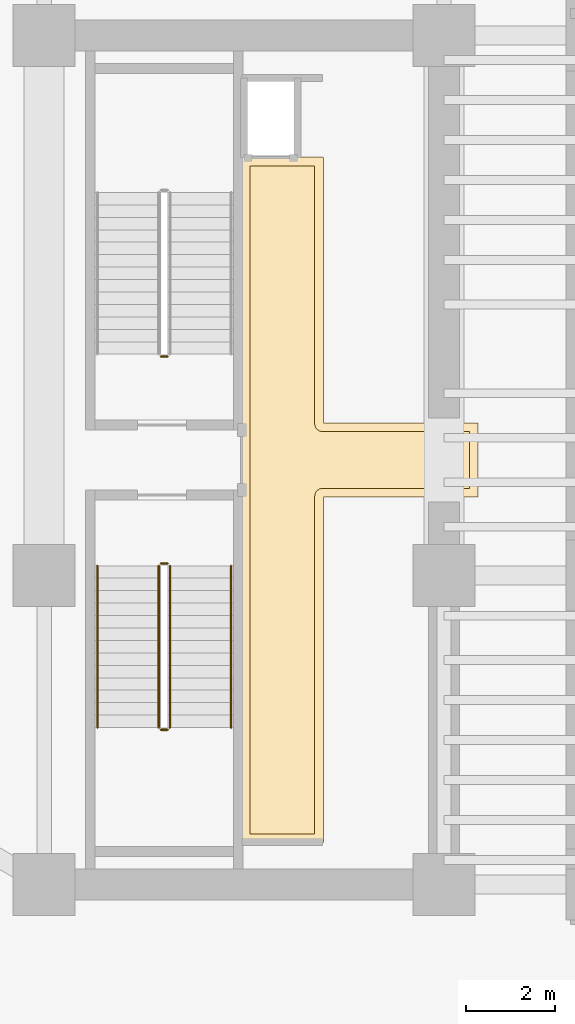
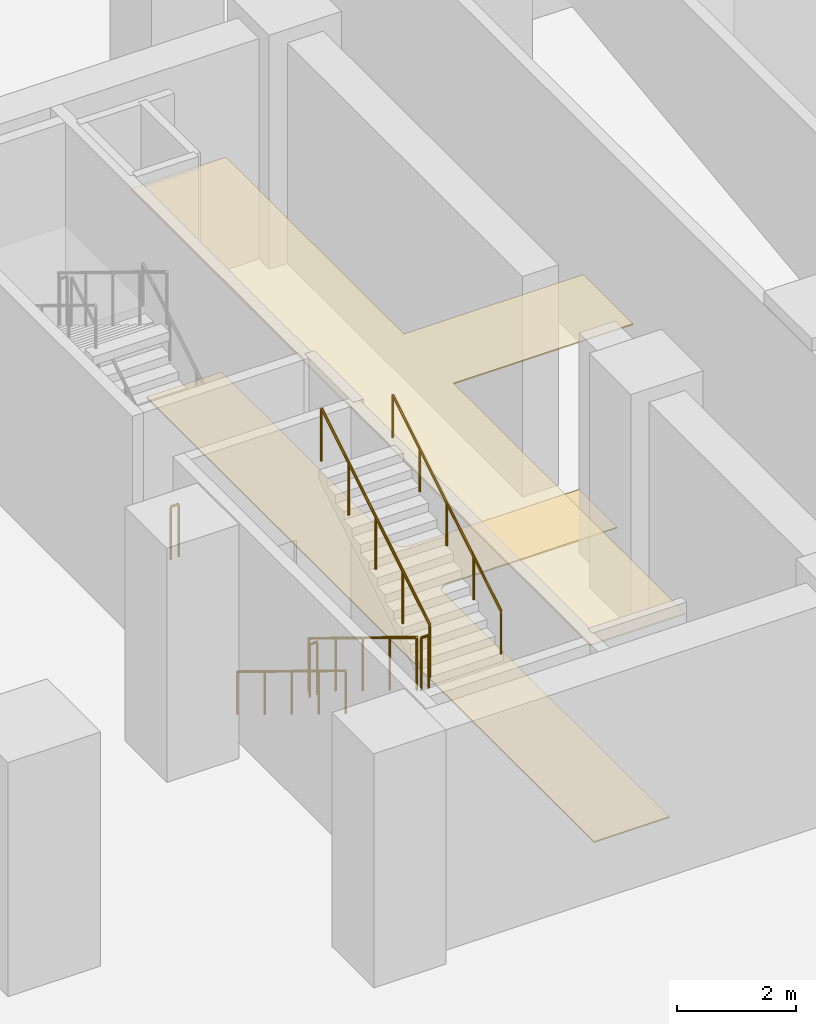
# One storey, part 8 of 10: 7 railings, 2 coverings.
"""IFC4 building model written with IfcOpenShell, lengths in metres."""

import ifcopenshell
import ifcopenshell.guid

model = None  # the IFC model being written
_history = None  # IfcOwnerHistory: only IFC2X3 demands one
_inside = {}  # id of a spatial element -> (the spatial element, [elements in it])
_under = {}  # id of a project, library or spatial element -> (it, [spatial elements below it])
_declared = {}  # id of a project -> (the project, [libraries it declares])
_typed = {}  # id of a type object -> (the type object, [elements of that type])
_made_of = {}  # id of a material, layer set ... -> (it, [elements and type objects made of it])


def new_model(schema):
    """Start an empty IFC model of exactly this schema.

    Asked for "IFC4X3", IfcOpenShell would pick the latest addendum, in which some entities
    have other attributes; the version numbers below select the first issue.
    IFC2X3 requires an IfcOwnerHistory on every rooted entity: one is made here for all.
    """
    global model, _history
    if schema == "IFC4X3":
        model = ifcopenshell.file(schema_version=(4, 3, 0, 0))
    else:
        model = ifcopenshell.file(schema=schema)
    _inside.clear()
    _under.clear()
    _declared.clear()
    _typed.clear()
    _made_of.clear()
    _history = None
    if model.schema == "IFC2X3":
        org = make("IfcOrganization", Name="unknown")
        user = make(
            "IfcPersonAndOrganization",
            ThePerson=make("IfcPerson", FamilyName="unknown"),
            TheOrganization=org,
        )
        app = make(
            "IfcApplication",
            ApplicationDeveloper=org,
            Version="unknown",
            ApplicationFullName="unknown",
            ApplicationIdentifier="unknown",
        )
        _history = make(
            "IfcOwnerHistory",
            OwningUser=user,
            OwningApplication=app,
            ChangeAction="ADDED",
            CreationDate=0,
        )
    return model


def make(cls, **values):
    """One entity of the class cls with the attributes given. An attribute that is None is left unset."""
    return model.create_entity(
        cls, **{name: value for name, value in values.items() if value is not None}
    )


def rooted(cls, **values):
    """An entity with a GlobalId (a new one), such as an element, a storey or a relation."""
    return make(cls, GlobalId=ifcopenshell.guid.new(), OwnerHistory=_history, **values)


def si_unit(unit_type, name, prefix=None):
    """IfcSIUnit, for example si_unit("LENGTHUNIT", "METRE", prefix="MILLI")."""
    return make("IfcSIUnit", UnitType=unit_type, Prefix=prefix, Name=name)


def assignment(units):
    """IfcUnitAssignment: the units of a project."""
    return None if units is None else make("IfcUnitAssignment", Units=units)


def point(xyz):
    """IfcCartesianPoint."""
    return None if xyz is None else make("IfcCartesianPoint", Coordinates=xyz)


def direction(xyz):
    """IfcDirection."""
    return None if xyz is None else make("IfcDirection", DirectionRatios=xyz)


def frame(location, z_axis=None, x_axis=None):
    """IfcAxis2Placement3D, a coordinate frame: its origin and axes. An axis left out is left unset."""
    return make(
        "IfcAxis2Placement3D",
        Location=point(location),
        Axis=direction(z_axis),
        RefDirection=direction(x_axis),
    )


def frame_2d(location, x_axis=None):
    """IfcAxis2Placement2D, a coordinate frame in the plane: its origin and x axis."""
    return make(
        "IfcAxis2Placement2D", Location=point(location), RefDirection=direction(x_axis)
    )


def origin():
    """The frame at (0, 0, 0) with its axes left unset."""
    return frame((0.0, 0.0, 0.0))


def origin_2d():
    """The frame at (0, 0) in the plane with its x axis left unset."""
    return frame_2d((0.0, 0.0))


def place(relative_to, where):
    """IfcLocalPlacement: puts the frame where relative to a parent placement (None: the world)."""
    return make(
        "IfcLocalPlacement", PlacementRelTo=relative_to, RelativePlacement=where
    )


def context(
    kind, dimensions, precision=None, world=None, true_north=None, identifier=None
):
    """IfcGeometricRepresentationContext, for example the 3D "Model" context."""
    return make(
        "IfcGeometricRepresentationContext",
        ContextIdentifier=identifier,
        ContextType=kind,
        CoordinateSpaceDimension=dimensions,
        Precision=precision,
        WorldCoordinateSystem=world,
        TrueNorth=true_north,
    )


def subcontext(parent, identifier, kind, view, scale=None):
    """IfcGeometricRepresentationSubContext, for example "Body" below "Model"."""
    return make(
        "IfcGeometricRepresentationSubContext",
        ContextIdentifier=identifier,
        ContextType=kind,
        ParentContext=parent,
        TargetScale=scale,
        TargetView=view,
    )


def project(units=None, contexts=None):
    """IfcProject with its units and contexts."""
    return rooted(
        "IfcProject",
        Name="project",
        RepresentationContexts=contexts,
        UnitsInContext=assignment(units),
    )


def spatial(cls, under=None, at=None, **own):
    """A site, building, storey or space (cls), placed at a placement, below another one or the project."""
    s = rooted(cls, ObjectPlacement=at, **own)
    if under is not None:
        _under.setdefault(under.id(), (under, []))[1].append(s)
    return s


def polyline(points):
    """IfcPolyline through the points."""
    return make("IfcPolyline", Points=[point(p) for p in points])


def profile(cls, at=None, kind="AREA", **sizes):
    """A parametric profile (cls). Its sizes go by their IFC names, for example OverallWidth=200.0."""
    return make(cls, ProfileType=kind, Position=at, **sizes)


def circle(**sizes):
    """IfcCircleProfileDef."""
    return profile("IfcCircleProfileDef", **sizes)


def outline(outer, holes=None, kind="AREA"):
    """IfcArbitraryClosedProfileDef: a profile drawn as a closed curve; with holes, ...WithVoids."""
    if holes is None:
        return make("IfcArbitraryClosedProfileDef", ProfileType=kind, OuterCurve=outer)
    return make(
        "IfcArbitraryProfileDefWithVoids",
        ProfileType=kind,
        OuterCurve=outer,
        InnerCurves=holes,
    )


def extrude(swept, where, along, depth):
    """IfcExtrudedAreaSolid: the profile swept, set in the frame where, extruded along a direction by depth."""
    return make(
        "IfcExtrudedAreaSolid",
        SweptArea=swept,
        Position=where,
        ExtrudedDirection=direction(along),
        Depth=depth,
    )


def shape(context_of_items, identifier, shape_type, items):
    """IfcShapeRepresentation: the items that make up one representation, for example the "Body"."""
    return make(
        "IfcShapeRepresentation",
        ContextOfItems=context_of_items,
        RepresentationIdentifier=identifier,
        RepresentationType=shape_type,
        Items=items,
    )


def material(Name=None, Category=None):
    """IfcMaterial."""
    return make("IfcMaterial", Name=Name, Category=Category)


def layer(
    of_material, thickness, ventilated=None, Name=None, Category=None, Priority=None
):
    """IfcMaterialLayer: one layer of a wall or slab, of a material (None: an air gap)."""
    return make(
        "IfcMaterialLayer",
        Material=of_material,
        LayerThickness=thickness,
        IsVentilated=ventilated,
        Name=Name,
        Category=Category,
        Priority=Priority,
    )


def layer_set(layers, Name=None):
    """IfcMaterialLayerSet."""
    return make("IfcMaterialLayerSet", MaterialLayers=layers, LayerSetName=Name)


def made_of(thing, what):
    """Note that an element or type object is made of a material, layer set ...; save() writes the relation."""
    if what is not None:
        _made_of.setdefault(what.id(), (what, []))[1].append(thing)
    return thing


def type_object(cls, material=None, **own):
    """A type object (cls), such as IfcWallType, which elements share."""
    return made_of(rooted(cls, **own), material)


def element(
    cls,
    number,
    at=None,
    inside=None,
    cuts=None,
    type_object=None,
    material=None,
    context=None,
    identifier="Body",
    shape_type=None,
    held_by="IfcProductDefinitionShape",
    body=None,
    shapes=None,
    **own,
):
    """One element of the class cls, such as IfcWall. Its Tag is "e" and its number.

    at: its placement. inside: the storey or other place that contains it. cuts: it is an
    opening in that element (IfcRelVoidsElement). A single representation is given by context,
    identifier, shape_type and body (its items); several are given by shapes. held_by: the class
    of the entity that holds the representations. save() writes the other relations.
    """
    e = rooted(cls, Tag="e%d" % number, ObjectPlacement=at, **own)
    if body is not None:
        shapes = [shape(context, identifier, shape_type, body)]
    if shapes is not None:
        e.Representation = make(held_by, Representations=shapes)
    if inside is not None:
        _inside.setdefault(inside.id(), (inside, []))[1].append(e)
    if cuts is not None:
        rooted(
            "IfcRelVoidsElement", RelatingBuildingElement=cuts, RelatedOpeningElement=e
        )
    if type_object is not None:
        _typed.setdefault(type_object.id(), (type_object, []))[1].append(e)
    return made_of(e, material)


def aggregate(whole, parts):
    """IfcRelAggregates: a whole, such as a stair, and the parts it consists of."""
    return rooted("IfcRelAggregates", RelatingObject=whole, RelatedObjects=parts)


def save(model, path):
    """Write the relations noted so far, then the file.

    IfcRelAggregates (storeys below a building ...), IfcRelContainedInSpatialStructure (elements
    in a storey), IfcRelDefinesByType, IfcRelAssociatesMaterial and IfcRelDeclares: one each for
    every whole, place, type object, material and project.
    """
    for whole, parts in _under.values():
        aggregate(whole, parts)
    for where, things in _inside.values():
        rooted(
            "IfcRelContainedInSpatialStructure",
            RelatedElements=things,
            RelatingStructure=where,
        )
    for kind, things in _typed.values():
        rooted("IfcRelDefinesByType", RelatedObjects=things, RelatingType=kind)
    for what, things in _made_of.values():
        rooted("IfcRelAssociatesMaterial", RelatedObjects=things, RelatingMaterial=what)
    for by, libraries in _declared.values():
        rooted("IfcRelDeclares", RelatingContext=by, RelatedDefinitions=libraries)
    model.write(path)


model = new_model("IFC4")

# Units and contexts
model_context = context("Model", 3, precision=1e-05, world=origin(), true_north=direction((0.0, 1.0)))
body_context = subcontext(model_context, "Body", "Model", "MODEL_VIEW")
ifc_project = project(units=[si_unit("LENGTHUNIT", "METRE"), si_unit("AREAUNIT", "SQUARE_METRE"), si_unit("VOLUMEUNIT", "CUBIC_METRE"), si_unit("PLANEANGLEUNIT", "RADIAN"), si_unit("MASSUNIT", "GRAM", prefix="KILO")], contexts=[model_context])

# Site, building, storey
site_placement = place(None, origin())
site = spatial("IfcSite", under=ifc_project, at=site_placement, CompositionType="ELEMENT")
building_placement = place(site_placement, origin())
building = spatial("IfcBuilding", under=site, at=building_placement, Name="Valdorenza Pilgrim Sanctuary Tower", CompositionType="ELEMENT")
storey_placement = place(building_placement, frame((0.0, 0.0, -4.800048828125)))
storey = spatial("IfcBuildingStorey", under=building, at=storey_placement, Name="B01", CompositionType="ELEMENT", Elevation=-4.800048828125)

# Coverings
ifc_material_1 = material(Name="Micro-perforated acoustic mineral ceiling tile", Category="gypsum")
ifc_layer_1 = layer(ifc_material_1, 0.02490234375, Name="Micro-perforated acoustic mineral ceiling tile")
ifc_layer_set_1 = layer_set([ifc_layer_1], Name="Micro-perforated acoustic mineral ceiling tile")
covering_type_1 = type_object("IfcCoveringType", Name="COV-CLG-ACU", PredefinedType="CEILING", material=ifc_layer_set_1)
covering_1_placement = place(storey_placement, frame((0.0, 0.0, 4.219970703125)))
element("IfcCovering", 1, at=covering_1_placement, inside=storey, type_object=covering_type_1, Name="B01 Core B Passenger Lift Lobby Acoustic Ceiling", PredefinedType="CEILING", context=body_context, shape_type="SweptSolid", body=[
    extrude(outline(polyline([(20.287109375, -0.814697265625), (20.287109375, 0.814697265625), (20.28662109375, 0.815185546875), (20.2861328125, 0.81640625), (20.28564453125, 0.81787109375), (20.285400390625, 0.819091796875), (20.28515625, 0.820556640625), (20.284912109375, 0.822021484375), (20.284912109375, 6.800048828125), (20.28515625, 6.801513671875), (20.285400390625, 6.802978515625), (20.28564453125, 6.804443359375), (20.2861328125, 6.8056640625), (20.286865234375, 6.80712890625), (20.28759765625, 6.808349609375), (20.288330078125, 6.8095703125), (20.289306640625, 6.810546875), (20.29052734375, 6.8115234375), (20.291748046875, 6.8125), (20.29296875, 6.813232421875), (20.294189453125, 6.81396484375), (20.295654296875, 6.814453125), (20.297119140625, 6.814697265625), (20.298583984375, 6.81494140625), (20.300048828125, 6.81494140625), (20.347900390625, 6.81494140625), (20.349365234375, 6.81494140625), (20.350830078125, 6.814697265625), (20.352294921875, 6.814453125), (20.353515625, 6.81396484375), (20.35498046875, 6.813232421875), (20.35546875, 6.81298828125), (21.544677734375, 6.81298828125), (21.545166015625, 6.813232421875), (21.54638671875, 6.81396484375), (21.5478515625, 6.814453125), (21.54931640625, 6.814697265625), (21.550537109375, 6.81494140625), (21.552001953125, 6.81494140625), (22.1201171875, 6.81494140625), (22.12158203125, 6.81494140625), (22.122802734375, 6.814697265625), (22.12451171875, 6.814453125), (22.125732421875, 6.81396484375), (22.127197265625, 6.813232421875), (22.12841796875, 6.8125), (22.12939453125, 6.8115234375), (22.130615234375, 6.810546875), (22.131591796875, 6.8095703125), (22.132568359375, 6.808349609375), (22.13330078125, 6.80712890625), (22.1337890625, 6.8056640625), (22.134521484375, 6.804443359375), (22.134765625, 6.802978515625), (22.135009765625, 6.801513671875), (22.135009765625, 6.800048828125), (22.135009765625, 0.8349609375), (25.60009765625, 0.8349609375), (25.6015625, 0.8349609375), (25.602783203125, 0.834716796875), (25.6044921875, 0.83447265625), (25.605712890625, 0.833984375), (25.607177734375, 0.833251953125), (25.6083984375, 0.83251953125), (25.609619140625, 0.83154296875), (25.610595703125, 0.83056640625), (25.611572265625, 0.82958984375), (25.612548828125, 0.828369140625), (25.61328125, 0.8271484375), (25.614013671875, 0.82568359375), (25.614501953125, 0.824462890625), (25.61474609375, 0.822998046875), (25.614990234375, 0.821533203125), (25.614990234375, 0.820068359375), (25.614990234375, -0.820068359375), (25.614990234375, -0.821533203125), (25.61474609375, -0.822998046875), (25.614501953125, -0.824462890625), (25.614013671875, -0.82568359375), (25.61328125, -0.8271484375), (25.612548828125, -0.828369140625), (25.611572265625, -0.82958984375), (25.610595703125, -0.83056640625), (25.609619140625, -0.83154296875), (25.6083984375, -0.83251953125), (25.607177734375, -0.833251953125), (25.605712890625, -0.833984375), (25.6044921875, -0.83447265625), (25.602783203125, -0.834716796875), (25.6015625, -0.8349609375), (25.60009765625, -0.8349609375), (22.135009765625, -0.8349609375), (22.135009765625, -8.60009765625), (22.135009765625, -8.6015625), (22.134765625, -8.602783203125), (22.134521484375, -8.6044921875), (22.1337890625, -8.605712890625), (22.13330078125, -8.607177734375), (22.132568359375, -8.6083984375), (22.131591796875, -8.609619140625), (22.130615234375, -8.610595703125), (22.12939453125, -8.611572265625), (22.12841796875, -8.612548828125), (22.127197265625, -8.61328125), (22.125732421875, -8.614013671875), (22.12451171875, -8.614501953125), (22.122802734375, -8.61474609375), (22.12158203125, -8.614990234375), (22.1201171875, -8.614990234375), (20.300048828125, -8.614990234375), (20.298583984375, -8.614990234375), (20.297119140625, -8.61474609375), (20.295654296875, -8.614501953125), (20.294189453125, -8.614013671875), (20.29296875, -8.61328125), (20.291748046875, -8.612548828125), (20.29052734375, -8.611572265625), (20.289306640625, -8.610595703125), (20.288330078125, -8.609619140625), (20.28759765625, -8.6083984375), (20.286865234375, -8.607177734375), (20.2861328125, -8.605712890625), (20.28564453125, -8.6044921875), (20.285400390625, -8.602783203125), (20.28515625, -8.6015625), (20.284912109375, -8.60009765625), (20.284912109375, -0.822021484375), (20.28515625, -0.820556640625), (20.285400390625, -0.819091796875), (20.28564453125, -0.81787109375), (20.2861328125, -0.81640625), (20.28662109375, -0.815185546875), (20.287109375, -0.814697265625)])), origin(), (0.0, 0.0, 1.0), 0.025146484375),
])
ifc_material_2 = material(Name="Honed travertine stone flooring", Category="masonry")
ifc_layer_2 = layer(ifc_material_2, 0.030029296875, Name="Honed travertine stone flooring")
ifc_layer_set_2 = layer_set([ifc_layer_2], Name="Honed travertine stone flooring")
covering_type_2 = type_object("IfcCoveringType", Name="COV-FLR-TRV", PredefinedType="FLOORING", material=ifc_layer_set_2)
covering_2_placement = place(storey_placement, origin())
element("IfcCovering", 2, at=covering_2_placement, inside=storey, type_object=covering_type_2, Name="B01 Core B Passenger Lift Lobby Flooring", PredefinedType="FLOORING", context=body_context, shape_type="SweptSolid", body=[
    extrude(outline(polyline([(20.47998046875, 6.617919921875), (21.550048828125, 6.617919921875), (21.550537109375, 6.617919921875), (21.93994140625, 6.619384765625), (21.93994140625, 0.820068359375), (21.94091796875, 0.802490234375), (21.943603515625, 0.784912109375), (21.94775390625, 0.767578125), (21.95361328125, 0.751220703125), (21.961181640625, 0.735107421875), (21.97021484375, 0.719970703125), (21.98095703125, 0.705810546875), (21.99267578125, 0.692626953125), (22.005859375, 0.680908203125), (22.02001953125, 0.67041015625), (22.03515625, 0.661376953125), (22.051025390625, 0.65380859375), (22.067626953125, 0.647705078125), (22.0849609375, 0.6435546875), (22.102294921875, 0.640869140625), (22.1201171875, 0.639892578125), (25.419921875, 0.639892578125), (25.419921875, -0.639892578125), (22.1201171875, -0.639892578125), (22.102294921875, -0.640869140625), (22.0849609375, -0.6435546875), (22.067626953125, -0.647705078125), (22.051025390625, -0.65380859375), (22.03515625, -0.661376953125), (22.02001953125, -0.67041015625), (22.005859375, -0.680908203125), (21.99267578125, -0.692626953125), (21.98095703125, -0.705810546875), (21.97021484375, -0.719970703125), (21.961181640625, -0.735107421875), (21.95361328125, -0.751220703125), (21.94775390625, -0.767578125), (21.943603515625, -0.784912109375), (21.94091796875, -0.802490234375), (21.93994140625, -0.820068359375), (21.93994140625, -8.419921875), (20.47998046875, -8.419921875), (20.47998046875, -0.846923828125), (20.47998046875, -0.8466796875), (20.47998046875, -0.8466796875), (20.481689453125, -0.8291015625), (20.481689453125, -0.828857421875), (20.48193359375, -0.820068359375), (20.48193359375, 0.820068359375), (20.47998046875, 6.617919921875)])), origin(), (0.0, 0.0, 1.0), 0.025146484375),
])

# Railings
ifc_material_3 = material(Name="Stainless steel Grade 316", Category="steel")
railing_type_1 = type_object("IfcRailingType", Name="RLG-GRD-1120", PredefinedType="GUARDRAIL", material=ifc_material_3)
railing_1_placement = place(storey_placement, frame((18.6298828125, 2.330078125, 0.0)))
element("IfcRailing", 3, at=railing_1_placement, inside=storey, type_object=railing_type_1, Name="B01 ST-B1 stair guard 4", PredefinedType="GUARDRAIL", context=body_context, shape_type="SweptSolid", body=[
    extrude(circle(Radius=0.02392578125, at=origin_2d()), frame((0.0, 0.0, 1.076171875), z_axis=(-1.0, 0.0, 0.0), x_axis=(0.0, -1.0, 0.0)), (0.0, 0.0, 1.0), 0.14990234375),
    extrude(circle(Radius=0.02099609375, at=origin_2d()), origin(), (0.0, 0.0, 1.0), 1.052001953125),
    extrude(circle(Radius=0.02099609375, at=origin_2d()), frame((-0.14990234375, 0.0, 0.0)), (0.0, 0.0, 1.0), 1.052001953125),
])
railing_2_placement = place(storey_placement, frame((18.429931640625, -2.3798828125, 0.17138671875)))
element("IfcRailing", 4, at=railing_2_placement, inside=storey, type_object=railing_type_1, Name="B01 ST-B2 stair guard 1", PredefinedType="GUARDRAIL", context=body_context, shape_type="SweptSolid", body=[
    extrude(circle(Radius=0.02392578125, at=origin_2d()), frame((0.0, 0.0, 1.076171875), z_axis=(0.0, -0.852840387347, 0.522171689878), x_axis=(1.0, 0.0, 0.0)), (0.0, 0.0, 1.0), 4.268310546875),
    extrude(circle(Radius=0.02099609375, at=origin_2d()), origin(), (0.0, 0.0, 1.0), 1.052001953125),
    extrude(circle(Radius=0.02099609375, at=origin_2d()), frame((0.0, -0.91015625, 0.55712890625)), (0.0, 0.0, 1.0), 1.052001953125),
    extrude(circle(Radius=0.02099609375, at=origin_2d()), frame((0.0, -1.820068359375, 1.1142578125)), (0.0, 0.0, 1.0), 1.052001953125),
    extrude(circle(Radius=0.02099609375, at=origin_2d()), frame((0.0, -2.72998046875, 1.671630859375)), (0.0, 0.0, 1.0), 1.052001953125),
    extrude(circle(Radius=0.02099609375, at=origin_2d()), frame((0.0, -3.64013671875, 2.228759765625)), (0.0, 0.0, 1.0), 1.052001953125),
])
railing_3_placement = place(storey_placement, frame((18.47998046875, -6.070068359375, 2.400146484375)))
element("IfcRailing", 5, at=railing_3_placement, inside=storey, type_object=railing_type_1, Name="B01 ST-B2 stair guard 2", PredefinedType="GUARDRAIL", context=body_context, shape_type="SweptSolid", body=[
    extrude(circle(Radius=0.02392578125, at=origin_2d()), frame((0.0, 0.0, 1.076171875), z_axis=(1.0, 0.0, 0.0), x_axis=(0.0, 1.0, 0.0)), (0.0, 0.0, 1.0), 0.14990234375),
    extrude(circle(Radius=0.02099609375, at=origin_2d()), origin(), (0.0, 0.0, 1.0), 1.052001953125),
    extrude(circle(Radius=0.02099609375, at=origin_2d()), frame((0.14990234375, 0.0, 0.0)), (0.0, 0.0, 1.0), 1.052001953125),
])
railing_4_placement = place(storey_placement, frame((18.679931640625, -6.02001953125, 2.571533203125)))
element("IfcRailing", 6, at=railing_4_placement, inside=storey, type_object=railing_type_1, Name="B01 ST-B2 stair guard 3", PredefinedType="GUARDRAIL", context=body_context, shape_type="SweptSolid", body=[
    extrude(circle(Radius=0.02392578125, at=origin_2d()), frame((0.0, 0.0, 1.076171875), z_axis=(0.0, 0.852865859571, 0.52213008492), x_axis=(-1.0, 0.0, 0.0)), (0.0, 0.0, 1.0), 4.26806640625),
    extrude(circle(Radius=0.02099609375, at=origin_2d()), origin(), (0.0, 0.0, 1.0), 1.052001953125),
    extrude(circle(Radius=0.02099609375, at=origin_2d()), frame((0.0, 0.91015625, 0.55712890625)), (0.0, 0.0, 1.0), 1.052001953125),
    extrude(circle(Radius=0.02099609375, at=origin_2d()), frame((0.0, 1.820068359375, 1.1142578125)), (0.0, 0.0, 1.0), 1.052001953125),
    extrude(circle(Radius=0.02099609375, at=origin_2d()), frame((0.0, 2.72998046875, 1.67138671875)), (0.0, 0.0, 1.0), 1.052001953125),
    extrude(circle(Radius=0.02099609375, at=origin_2d()), frame((0.0, 3.64013671875, 2.228515625)), (0.0, 0.0, 1.0), 1.052001953125),
])
railing_5_placement = place(storey_placement, frame((18.47998046875, -2.330078125, 0.0)))
element("IfcRailing", 7, at=railing_5_placement, inside=storey, type_object=railing_type_1, Name="B01 ST-B2 stair guard 4", PredefinedType="GUARDRAIL", context=body_context, shape_type="SweptSolid", body=[
    extrude(circle(Radius=0.02392578125, at=origin_2d()), frame((0.0, 0.0, 1.076171875), z_axis=(1.0, 0.0, 0.0), x_axis=(0.0, 1.0, 0.0)), (0.0, 0.0, 1.0), 0.14990234375),
    extrude(circle(Radius=0.02099609375, at=origin_2d()), origin(), (0.0, 0.0, 1.0), 1.052001953125),
    extrude(circle(Radius=0.02099609375, at=origin_2d()), frame((0.14990234375, 0.0, 0.0)), (0.0, 0.0, 1.0), 1.052001953125),
])
ifc_material_4 = material(Name="Brushed stainless steel Grade 316", Category="steel")
railing_type_2 = type_object("IfcRailingType", Name="RLG-HND-920", PredefinedType="HANDRAIL", material=ifc_material_4)
railing_6_placement = place(storey_placement, frame((17.050048828125, -2.3798828125, 0.17138671875)))
element("IfcRailing", 8, at=railing_6_placement, inside=storey, type_object=railing_type_2, Name="B01 ST-B2 stair handrail 1", PredefinedType="HANDRAIL", context=body_context, shape_type="SweptSolid", body=[
    extrude(circle(Radius=0.02392578125, at=origin_2d()), frame((0.0, 0.0, 0.8759765625), z_axis=(0.0, -0.852840387347, 0.522171689878), x_axis=(1.0, 0.0, 0.0)), (0.0, 0.0, 1.0), 4.268310546875),
    extrude(circle(Radius=0.02099609375, at=origin_2d()), origin(), (0.0, 0.0, 1.0), 0.851806640625),
    extrude(circle(Radius=0.02099609375, at=origin_2d()), frame((0.0, -0.91015625, 0.55712890625)), (0.0, 0.0, 1.0), 0.851806640625),
    extrude(circle(Radius=0.02099609375, at=origin_2d()), frame((0.0, -1.820068359375, 1.1142578125)), (0.0, 0.0, 1.0), 0.851806640625),
    extrude(circle(Radius=0.02099609375, at=origin_2d()), frame((0.0, -2.72998046875, 1.671630859375)), (0.0, 0.0, 1.0), 0.851806640625),
    extrude(circle(Radius=0.02099609375, at=origin_2d()), frame((0.0, -3.64013671875, 2.228759765625)), (0.0, 0.0, 1.0), 0.851806640625),
])
railing_7_placement = place(storey_placement, frame((20.06005859375, -6.02001953125, 2.571533203125)))
element("IfcRailing", 9, at=railing_7_placement, inside=storey, type_object=railing_type_2, Name="B01 ST-B2 stair handrail 2", PredefinedType="HANDRAIL", context=body_context, shape_type="SweptSolid", body=[
    extrude(circle(Radius=0.02392578125, at=origin_2d()), frame((0.0, 0.0, 0.8759765625), z_axis=(0.0, 0.852865859571, 0.52213008492), x_axis=(-1.0, 0.0, 0.0)), (0.0, 0.0, 1.0), 4.26806640625),
    extrude(circle(Radius=0.02099609375, at=origin_2d()), origin(), (0.0, 0.0, 1.0), 0.851806640625),
    extrude(circle(Radius=0.02099609375, at=origin_2d()), frame((0.0, 0.91015625, 0.55712890625)), (0.0, 0.0, 1.0), 0.851806640625),
    extrude(circle(Radius=0.02099609375, at=origin_2d()), frame((0.0, 1.820068359375, 1.1142578125)), (0.0, 0.0, 1.0), 0.851806640625),
    extrude(circle(Radius=0.02099609375, at=origin_2d()), frame((0.0, 2.72998046875, 1.67138671875)), (0.0, 0.0, 1.0), 0.851806640625),
    extrude(circle(Radius=0.02099609375, at=origin_2d()), frame((0.0, 3.64013671875, 2.228515625)), (0.0, 0.0, 1.0), 0.851806640625),
])

save(model, "model.ifc")
